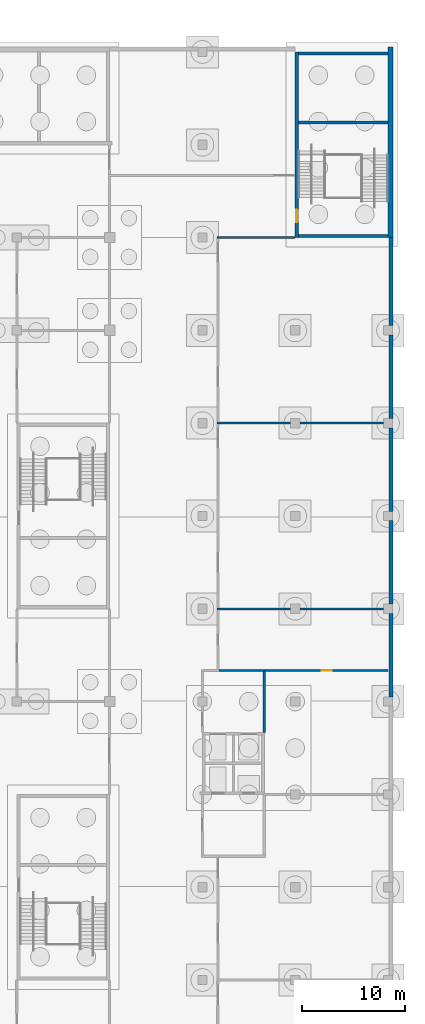
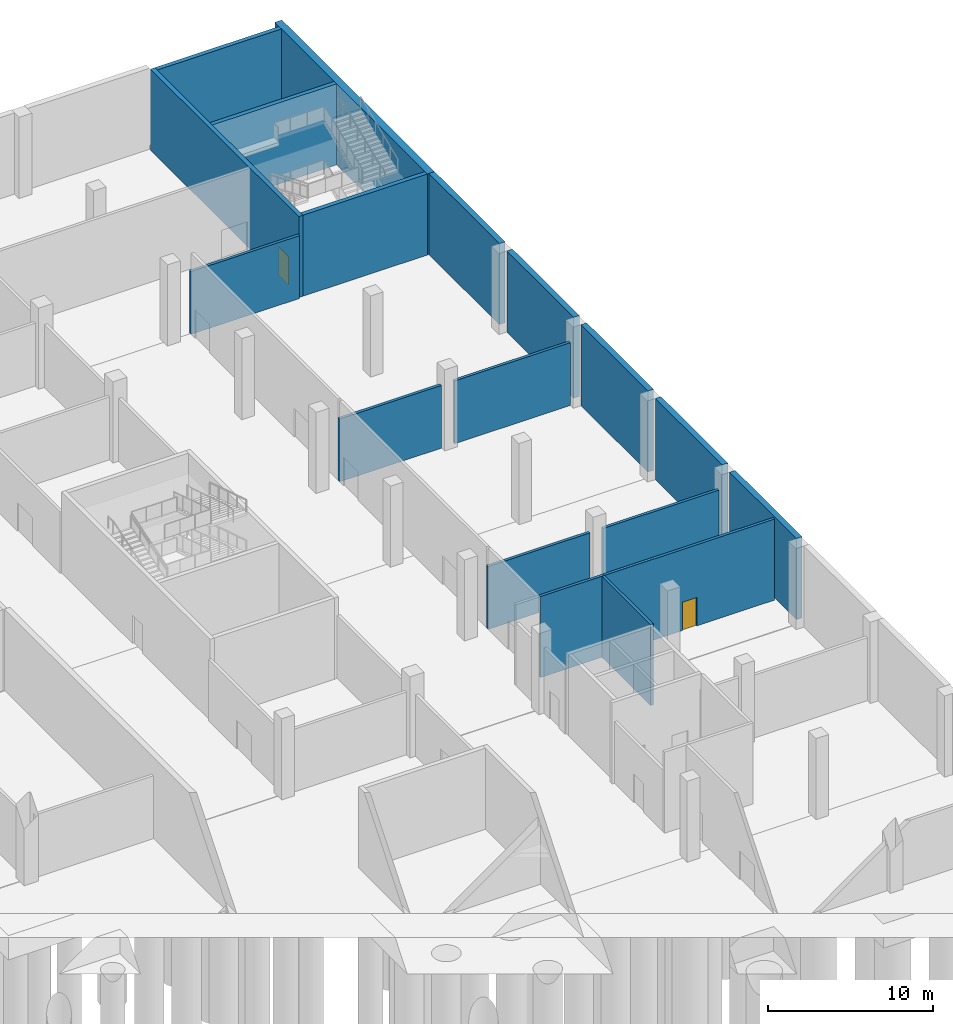
# One storey, part 22 of 42: 18 walls, 2 doors, 2 openings.
"""IFC4 building model written with IfcOpenShell, lengths in metres."""

from ifc_helpers import new_model, si_unit, direction, frame, frame_2d, origin, place, context, subcontext, project, spatial, rectangle, extrude, material, layer, layer_set, type_object, element, fill, save


model = new_model("IFC4")

# Units and contexts
model_context = context("Model", 3, precision=1e-05, world=origin(), true_north=direction((0.0, 1.0)))
body_context = subcontext(model_context, "Body", "Model", "MODEL_VIEW")
ifc_project = project(units=[si_unit("LENGTHUNIT", "METRE"), si_unit("AREAUNIT", "SQUARE_METRE"), si_unit("VOLUMEUNIT", "CUBIC_METRE"), si_unit("PLANEANGLEUNIT", "RADIAN"), si_unit("MASSUNIT", "GRAM", prefix="KILO")], contexts=[model_context])

# Site, building, storey
site_placement = place(None, origin())
site = spatial("IfcSite", under=ifc_project, at=site_placement, CompositionType="ELEMENT")
building_placement = place(site_placement, origin())
building = spatial("IfcBuilding", under=site, at=building_placement, Name="Silverbay Arena", CompositionType="ELEMENT")
storey_placement = place(building_placement, frame((0.0, 0.0, -6.0)))
storey = spatial("IfcBuildingStorey", under=building, at=storey_placement, Name="B1", CompositionType="ELEMENT", Elevation=-6.0)

# Walls
ifc_material_1 = material(Name="Concrete Grade C45", Category="concrete")
ifc_layer_1 = layer(ifc_material_1, 0.39990234375)
ifc_layer_set_1 = layer_set([ifc_layer_1], Name="Concrete Grade C45")
wall_type_1 = type_object("IfcWallType", Name="Basement perimeter wall 400", PredefinedType="SOLIDWALL", material=ifc_layer_set_1)
for number, where, z_axis, x_axis, name in (
    (1, (234.300048828125, 81.449951171875, 0.0), (0.0, 0.0, 1.0), (0.0, 1.0, 0.0), "East external wall B1 bay 8"),
    (2, (234.300048828125, 90.449951171875, 0.0), (0.0, 0.0, 1.0), (0.0, 1.0, 0.0), "East external wall B1 bay 9"),
    (3, (234.300048828125, 99.449951171875, 0.0), (0.0, 0.0, 1.0), (0.0, 1.0, 0.0), "East external wall B1 bay 10"),
    (4, (234.300048828125, 108.449951171875, 0.0), (0.0, 0.0, 1.0), (0.0, 1.0, 0.0), "East external wall B1 bay 11"),
):
    element("IfcWall", number, at=place(storey_placement, frame(where, z_axis=z_axis, x_axis=x_axis)), inside=storey, type_object=wall_type_1, Name=name, PredefinedType="SOLIDWALL", context=body_context, shape_type="SweptSolid", body=[
        extrude(rectangle(XDim=8.10009765625, YDim=0.39990234375, at=frame_2d((4.050048828125, 0.0))), origin(), (0.0, 0.0, 1.0), 6.0),
    ])
wall_1_placement = place(storey_placement, frame((234.300048828125, 117.449951171875, 0.0), z_axis=(0.0, 0.0, 1.0), x_axis=(0.0, 1.0, 0.0)))
element("IfcWall", 5, at=wall_1_placement, inside=storey, type_object=wall_type_1, Name="East external wall B1 bay 12", PredefinedType="SOLIDWALL", context=body_context, shape_type="SweptSolid", body=[
    extrude(rectangle(XDim=8.550048828125, YDim=0.39990234375, at=frame_2d((4.27490234375, 0.0))), origin(), (0.0, 0.0, 1.0), 6.0),
])

# Wall, opening, door
ifc_material_2 = material(Name="Concrete Grade C45", Category="concrete")
ifc_layer_2 = layer(ifc_material_2, 0.300048828125)
ifc_layer_set_2 = layer_set([ifc_layer_2], Name="Concrete Grade C45")
wall_type_2 = type_object("IfcWallType", Name="Core wall RC 300 EI 240", PredefinedType="SHEAR", material=ifc_layer_set_2)
wall_2_placement = place(storey_placement, frame((225.14990234375, 126.0, 0.0), z_axis=(0.0, 0.0, 1.0), x_axis=(0.0, 1.0, 0.0)))
wall_2 = element("IfcWall", 6, at=wall_2_placement, inside=storey, type_object=wall_type_2, Name="Core wall ST-EG2 B1 door side", PredefinedType="SHEAR", context=body_context, shape_type="SweptSolid", body=[
    extrude(rectangle(XDim=18.0, YDim=0.300048828125, at=frame_2d((9.0, 0.0))), origin(), (0.0, 0.0, 1.0), 6.0),
])
opening_1_placement = place(wall_2_placement, frame((1.5, 0.0, 0.0)))
opening_1 = element("IfcOpeningElement", 7, at=opening_1_placement, cuts=wall_2, Name="Opening B1-099", PredefinedType="OPENING", context=body_context, shape_type="SweptSolid", body=[
    extrude(rectangle(XDim=1.199951171875, YDim=2.10009765625, at=frame_2d((0.60009765625, 1.050048828125))), frame((0.0, 0.16015625, 0.0), z_axis=(0.0, -1.0, 0.0), x_axis=(1.0, 0.0, 0.0)), (0.0, 0.0, 1.0), 0.320068359375),
])
ifc_material_3 = material(Name="Steel fire door", Category="steel")
door_type_1 = type_object("IfcDoorType", Name="Stair door 1200 x 2100 fire door", OperationType="SINGLE_SWING_LEFT", PredefinedType="DOOR", material=ifc_material_3)
door_1_placement = place(opening_1_placement, frame((1.199951171875, 0.0, 0.0), z_axis=(0.0, 0.0, 1.0), x_axis=(-1.0, 0.0, 0.0)))
door_1 = element("IfcDoor", 8, at=door_1_placement, inside=storey, type_object=door_type_1, Name="Stair door ST-EG2 B1", OperationType="SINGLE_SWING_RIGHT", OverallHeight=2.10009765625, OverallWidth=1.199951171875, PredefinedType="DOOR", context=body_context, shape_type="SweptSolid", body=[
    extrude(rectangle(XDim=1.199951171875, YDim=2.10009765625, at=frame_2d((0.60009765625, 1.050048828125))), frame((0.0, 0.02490234375, 0.0), z_axis=(0.0, -1.0, 0.0), x_axis=(1.0, 0.0, 0.0)), (0.0, 0.0, 1.0), 0.050048828125),
])
fill(opening_1, door_1)

# Walls
for number, where, z_axis, x_axis, name in (
    (9, (225.300048828125, 126.14990234375, 0.0), (0.0, 0.0, 1.0), (1.0, 0.0, 0.0), "Core wall ST-EG2 B1 end 1"),
    (10, (225.300048828125, 143.85009765625, 0.0), (0.0, 0.0, 1.0), (1.0, 0.0, 0.0), "Core wall ST-EG2 B1 end 2"),
    (11, (225.300048828125, 137.14990234375, 0.0), (0.0, 0.0, 1.0), (1.0, 0.0, 0.0), "Core wall ST-EG2 B1 stair enclosure"),
):
    element("IfcWall", number, at=place(storey_placement, frame(where, z_axis=z_axis, x_axis=x_axis)), inside=storey, type_object=wall_type_2, Name=name, PredefinedType="SHEAR", context=body_context, shape_type="SweptSolid", body=[
        extrude(rectangle(XDim=8.699951171875, YDim=0.300048828125, at=frame_2d((4.35009765625, 0.0))), origin(), (0.0, 0.0, 1.0), 6.0),
    ])
ifc_material_4 = material(Name="Concrete Grade C45", Category="concrete")
ifc_layer_3 = layer(ifc_material_4, 0.5)
ifc_layer_set_3 = layer_set([ifc_layer_3], Name="Concrete Grade C45")
wall_type_3 = type_object("IfcWallType", Name="Core wall RC 500 external EI 240", PredefinedType="SHEAR", material=ifc_layer_set_3)
wall_3_placement = place(storey_placement, frame((234.25, 126.0, 0.0), z_axis=(0.0, 0.0, 1.0), x_axis=(0.0, 1.0, 0.0)))
element("IfcWall", 12, at=wall_3_placement, inside=storey, type_object=wall_type_3, Name="Core wall ST-EG2 B1 facade side", PredefinedType="SHEAR", context=body_context, shape_type="SweptSolid", body=[
    extrude(rectangle(XDim=18.5, YDim=0.5, at=frame_2d((9.25, 0.0))), origin(), (0.0, 0.0, 1.0), 6.0),
])
ifc_material_5 = material(Name="Masonry blockwork partition", Category="masonry")
ifc_layer_4 = layer(ifc_material_5, 0.199951171875)
ifc_layer_set_4 = layer_set([ifc_layer_4], Name="Masonry blockwork partition")
wall_type_4 = type_object("IfcWallType", Name="Partition 200 EI 240", PredefinedType="PARTITIONING", material=ifc_layer_set_4)
wall_4_placement = place(storey_placement, frame((217.60009765625, 84.0, 0.0), z_axis=(0.0, 0.0, 1.0), x_axis=(1.0, 0.0, 0.0)))
element("IfcWall", 13, at=wall_4_placement, inside=storey, type_object=wall_type_4, Name="Partition wall", PredefinedType="PARTITIONING", context=body_context, shape_type="SweptSolid", body=[
    extrude(rectangle(XDim=4.5, YDim=0.199951171875, at=frame_2d((2.25, 0.0))), origin(), (0.0, 0.0, 1.0), 6.0),
])

# Wall, opening, door
wall_5_placement = place(storey_placement, frame((222.10009765625, 84.0, 0.0), z_axis=(0.0, 0.0, 1.0), x_axis=(1.0, 0.0, 0.0)))
wall_5 = element("IfcWall", 14, at=wall_5_placement, inside=storey, type_object=wall_type_4, Name="Partition wall", PredefinedType="PARTITIONING", context=body_context, shape_type="SweptSolid", body=[
    extrude(rectangle(XDim=11.89990234375, YDim=0.199951171875, at=frame_2d((5.949951171875, 0.0))), origin(), (0.0, 0.0, 1.0), 6.0),
])
opening_2_placement = place(wall_5_placement, frame((5.449951171875, 0.0, 0.0)))
opening_2 = element("IfcOpeningElement", 15, at=opening_2_placement, cuts=wall_5, Name="Opening B1-032", PredefinedType="OPENING", context=body_context, shape_type="SweptSolid", body=[
    extrude(rectangle(XDim=1.0, YDim=2.10009765625, at=frame_2d((0.5, 1.050048828125))), frame((0.0, 0.10986328125, 0.0), z_axis=(0.0, -1.0, 0.0), x_axis=(1.0, 0.0, 0.0)), (0.0, 0.0, 1.0), 0.219970703125),
])
ifc_material_6 = material(Name="Steel faced timber", Category="steel")
door_type_2 = type_object("IfcDoorType", Name="Single leaf door 1000 x 2100 FD30S", OperationType="SINGLE_SWING_LEFT", PredefinedType="DOOR", material=ifc_material_6)
door_2_placement = place(opening_2_placement, frame((1.0, 0.0, 0.0), z_axis=(0.0, 0.0, 1.0), x_axis=(-1.0, 0.0, 0.0)))
door_2 = element("IfcDoor", 16, at=door_2_placement, inside=storey, type_object=door_type_2, Name="Door B1-032", OperationType="SINGLE_SWING_LEFT", OverallHeight=2.10009765625, OverallWidth=1.0, PredefinedType="DOOR", context=body_context, shape_type="SweptSolid", body=[
    extrude(rectangle(XDim=1.0, YDim=2.10009765625, at=frame_2d((0.5, 1.050048828125))), frame((0.0, 0.02490234375, 0.0), z_axis=(0.0, -1.0, 0.0), x_axis=(1.0, 0.0, 0.0)), (0.0, 0.0, 1.0), 0.050048828125),
])
fill(opening_2, door_2)

# Walls
wall_6_placement = place(storey_placement, frame((225.449951171875, 90.0, 0.0), z_axis=(0.0, 0.0, 1.0), x_axis=(1.0, 0.0, 0.0)))
element("IfcWall", 17, at=wall_6_placement, inside=storey, type_object=wall_type_4, Name="Partition wall", PredefinedType="PARTITIONING", context=body_context, shape_type="SweptSolid", body=[
    extrude(rectangle(XDim=8.10009765625, YDim=0.199951171875, at=frame_2d((4.050048828125, 0.0))), origin(), (0.0, 0.0, 1.0), 4.64990234375),
])
wall_7_placement = place(storey_placement, frame((217.39990234375, 90.0, 0.0), z_axis=(0.0, 0.0, 1.0), x_axis=(1.0, 0.0, 0.0)))
element("IfcWall", 18, at=wall_7_placement, inside=storey, type_object=wall_type_4, Name="Partition wall", PredefinedType="PARTITIONING", context=body_context, shape_type="SweptSolid", body=[
    extrude(rectangle(XDim=7.150146484375, YDim=0.199951171875, at=frame_2d((3.5751953125, 0.0))), origin(), (0.0, 0.0, 1.0), 4.64990234375),
])
wall_8_placement = place(storey_placement, frame((225.449951171875, 108.0, 0.0), z_axis=(0.0, 0.0, 1.0), x_axis=(1.0, 0.0, 0.0)))
element("IfcWall", 19, at=wall_8_placement, inside=storey, type_object=wall_type_4, Name="Partition wall", PredefinedType="PARTITIONING", context=body_context, shape_type="SweptSolid", body=[
    extrude(rectangle(XDim=8.10009765625, YDim=0.199951171875, at=frame_2d((4.050048828125, 0.0))), origin(), (0.0, 0.0, 1.0), 4.64990234375),
])
wall_9_placement = place(storey_placement, frame((217.39990234375, 108.0, 0.0), z_axis=(0.0, 0.0, 1.0), x_axis=(1.0, 0.0, 0.0)))
element("IfcWall", 20, at=wall_9_placement, inside=storey, type_object=wall_type_4, Name="Partition wall", PredefinedType="PARTITIONING", context=body_context, shape_type="SweptSolid", body=[
    extrude(rectangle(XDim=7.150146484375, YDim=0.199951171875, at=frame_2d((3.5751953125, 0.0))), origin(), (0.0, 0.0, 1.0), 4.64990234375),
])
wall_10_placement = place(storey_placement, frame((217.39990234375, 126.0, 0.0), z_axis=(0.0, 0.0, 1.0), x_axis=(1.0, 0.0, 0.0)))
element("IfcWall", 21, at=wall_10_placement, inside=storey, type_object=wall_type_4, Name="Partition wall", PredefinedType="PARTITIONING", context=body_context, shape_type="SweptSolid", body=[
    extrude(rectangle(XDim=7.60009765625, YDim=0.199951171875, at=frame_2d((3.800048828125, 0.0))), origin(), (0.0, 0.0, 1.0), 4.64990234375),
])
wall_11_placement = place(storey_placement, frame((222.0, 78.0, 0.0), z_axis=(0.0, 0.0, 1.0), x_axis=(0.0, 1.0, 0.0)))
element("IfcWall", 22, at=wall_11_placement, inside=storey, type_object=wall_type_4, Name="Partition wall", PredefinedType="PARTITIONING", context=body_context, shape_type="SweptSolid", body=[
    extrude(rectangle(XDim=5.89990234375, YDim=0.199951171875, at=frame_2d((2.949951171875, 0.0))), origin(), (0.0, 0.0, 1.0), 6.0),
])

save(model, "model.ifc")
